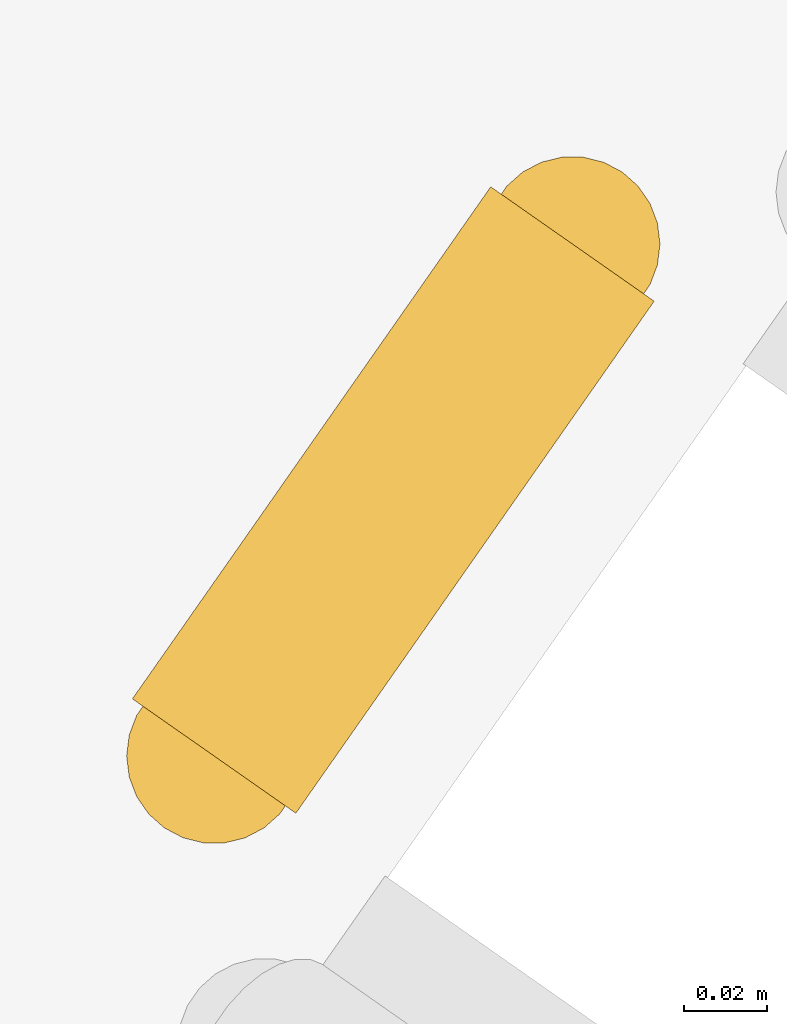
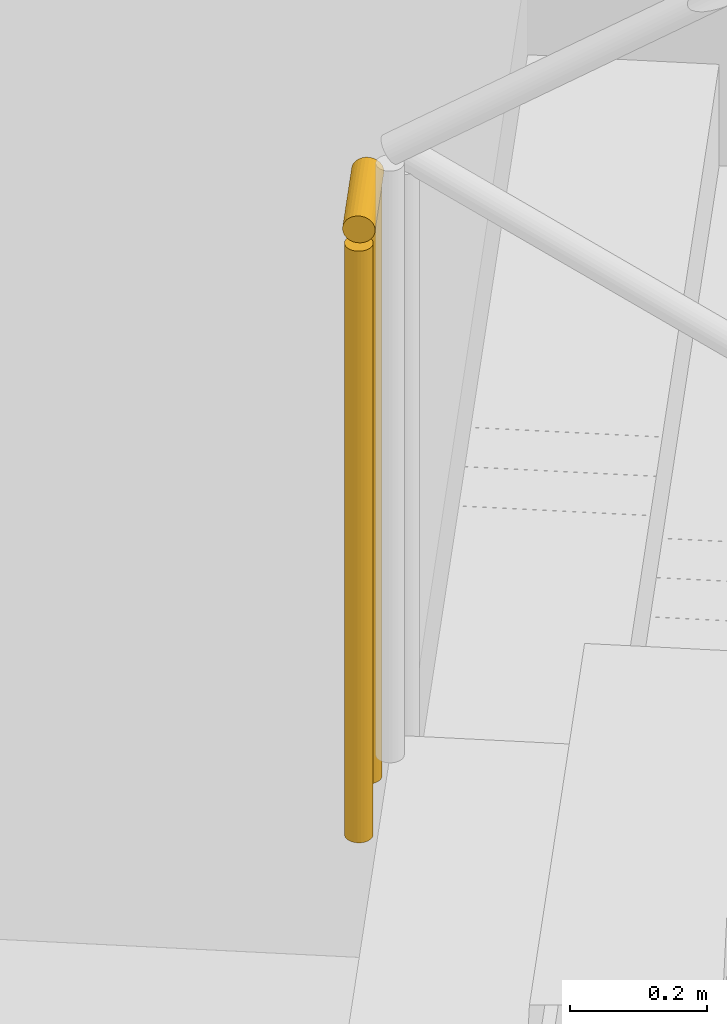
# One storey, part 22 of 25: 1 railing.
"""IFC4 building model written with IfcOpenShell, lengths in metres."""

from ifc_helpers import new_model, si_unit, direction, frame, origin, origin_2d, place, context, subcontext, project, spatial, circle, extrude, material, type_object, element, save


model = new_model("IFC4")

# Units and contexts
model_context = context("Model", 3, precision=1e-05, world=origin(), true_north=direction((0.0, 1.0)))
body_context = subcontext(model_context, "Body", "Model", "MODEL_VIEW")
ifc_project = project(units=[si_unit("LENGTHUNIT", "METRE"), si_unit("AREAUNIT", "SQUARE_METRE"), si_unit("VOLUMEUNIT", "CUBIC_METRE"), si_unit("PLANEANGLEUNIT", "RADIAN"), si_unit("MASSUNIT", "GRAM", prefix="KILO")], contexts=[model_context])

# Site, building, storey
site_placement = place(None, origin())
site = spatial("IfcSite", under=ifc_project, at=site_placement, CompositionType="ELEMENT")
building_placement = place(site_placement, origin())
building = spatial("IfcBuilding", under=site, at=building_placement, Name="Tel Ilan Convention Tower", CompositionType="ELEMENT")
storey_placement = place(building_placement, frame((0.0, 0.0, 76.10009765625)))
storey = spatial("IfcBuildingStorey", under=building, at=storey_placement, Name="L14", CompositionType="ELEMENT", Elevation=76.10009765625)

# Railing
ifc_material = material(Name="Stainless Steel Grade 316", Category="steel")
railing_type = type_object("IfcRailingType", Name="Stainless Steel Stair Guard 1100 mm", PredefinedType="GUARDRAIL", material=ifc_material)
railing_placement = place(storey_placement, frame((18.762939453125, -10.391357421875, 1.7998046875)))
element("IfcRailing", 1, at=railing_placement, inside=storey, type_object=railing_type, Name="L14 S4 stair guard 2", PredefinedType="GUARDRAIL", context=body_context, shape_type="SweptSolid", body=[
    extrude(circle(Radius=0.02392578125, at=origin_2d()), frame((0.0, 0.0, 1.076171875), z_axis=(-0.573353020881, -0.819308436089, 0.0), x_axis=(0.819308436089, -0.573353020881, 0.0)), (0.0, 0.0, 1.0), 0.14990234375),
    extrude(circle(Radius=0.02099609375, at=origin_2d()), origin(), (0.0, 0.0, 1.0), 1.052001953125),
    extrude(circle(Radius=0.02099609375, at=origin_2d()), frame((-0.0859375, -0.122802734375, 0.0)), (0.0, 0.0, 1.0), 1.052001953125),
])

save(model, "model.ifc")
